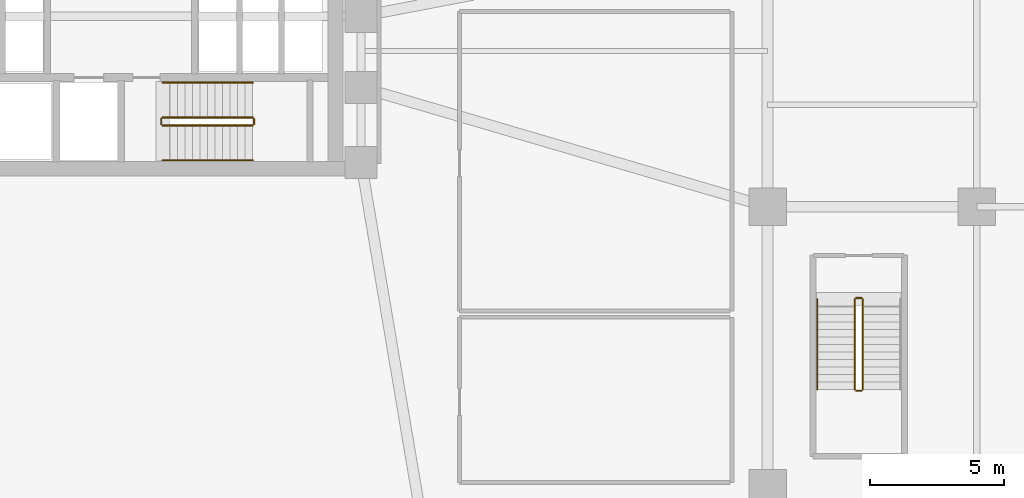
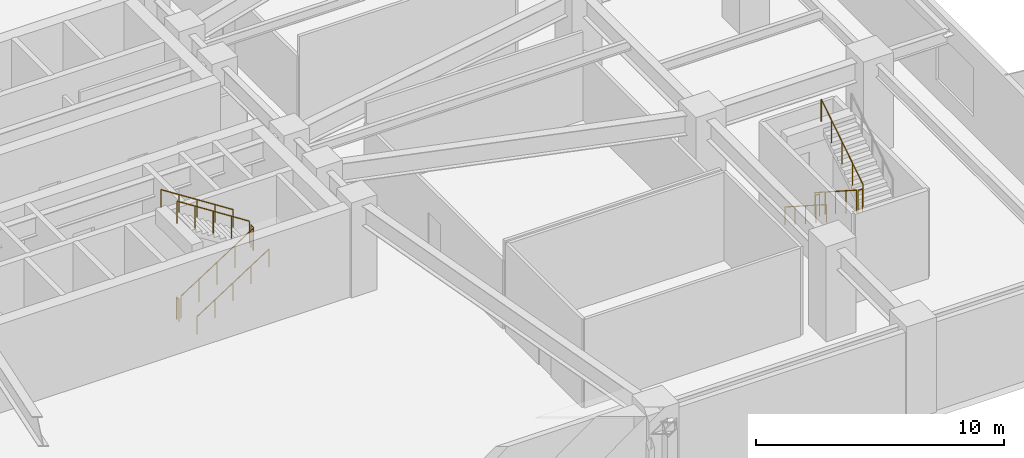
# One storey, part 18 of 21: 11 railings.
"""IFC4 building model written with IfcOpenShell, lengths in metres."""

from ifc_helpers import new_model, si_unit, direction, frame, origin, origin_2d, place, context, subcontext, project, spatial, circle, extrude, material, type_object, element, save


model = new_model("IFC4")

# Units and contexts
model_context = context("Model", 3, precision=1e-05, world=origin(), true_north=direction((0.0, 1.0)))
body_context = subcontext(model_context, "Body", "Model", "MODEL_VIEW")
ifc_project = project(units=[si_unit("LENGTHUNIT", "METRE"), si_unit("AREAUNIT", "SQUARE_METRE"), si_unit("VOLUMEUNIT", "CUBIC_METRE"), si_unit("PLANEANGLEUNIT", "RADIAN"), si_unit("MASSUNIT", "GRAM", prefix="KILO")], contexts=[model_context])

# Site, building, storey
site_placement = place(None, origin())
site = spatial("IfcSite", under=ifc_project, at=site_placement, CompositionType="ELEMENT")
building_placement = place(site_placement, origin())
building = spatial("IfcBuilding", under=site, at=building_placement, Name="Solmarez Civic Tower", CompositionType="ELEMENT")
storey_placement = place(building_placement, frame((0.0, 0.0, 10.080078125)))
storey = spatial("IfcBuildingStorey", under=building, at=storey_placement, Name="L02", CompositionType="ELEMENT", Elevation=10.080078125)

# Railings
ifc_material_1 = material(Name="Painted Steel Stairwell Safety Guard", Category="steel")
railing_type_1 = type_object("IfcRailingType", Name="GUARD-STAIR-1120", PredefinedType="BALUSTRADE", material=ifc_material_1)
railing_1_placement = place(storey_placement, frame((1.449951171875, -6.969970703125, 0.179931640625)))
element("IfcRailing", 1, at=railing_1_placement, inside=storey, type_object=railing_type_1, Name="L02 ST-2 stair guard 1", PredefinedType="BALUSTRADE", context=body_context, shape_type="SweptSolid", body=[
    extrude(circle(Radius=0.02392578125, at=origin_2d()), frame((0.0, 0.0, 1.09619140625), z_axis=(0.84119634759, 0.0, 0.540729789082), x_axis=(0.0, 1.0, 0.0)), (0.0, 0.0, 1.0), 3.994384765625),
    extrude(circle(Radius=0.02099609375, at=origin_2d()), origin(), (0.0, 0.0, 1.0), 1.072021484375),
    extrude(circle(Radius=0.02099609375, at=origin_2d()), frame((0.840087890625, 0.0, 0.5400390625)), (0.0, 0.0, 1.0), 1.072021484375),
    extrude(circle(Radius=0.02099609375, at=origin_2d()), frame((1.68017578125, 0.0, 1.080078125)), (0.0, 0.0, 1.0), 1.072021484375),
    extrude(circle(Radius=0.02099609375, at=origin_2d()), frame((2.52001953125, 0.0, 1.619873046875)), (0.0, 0.0, 1.0), 1.072021484375),
    extrude(circle(Radius=0.02099609375, at=origin_2d()), frame((3.360107421875, 0.0, 2.159912109375)), (0.0, 0.0, 1.0), 1.072021484375),
])
railing_2_placement = place(storey_placement, frame((4.860107421875, -6.919921875, 2.33984375)))
element("IfcRailing", 2, at=railing_2_placement, inside=storey, type_object=railing_type_1, Name="L02 ST-2 stair guard 2", PredefinedType="BALUSTRADE", context=body_context, shape_type="SweptSolid", body=[
    extrude(circle(Radius=0.02392578125, at=origin_2d()), frame((0.0, 0.0, 1.09619140625), z_axis=(0.0, 1.0, 0.0), x_axis=(-1.0, 0.0, 0.0)), (0.0, 0.0, 1.0), 0.199951171875),
    extrude(circle(Radius=0.02099609375, at=origin_2d()), origin(), (0.0, 0.0, 1.0), 1.072021484375),
    extrude(circle(Radius=0.02099609375, at=origin_2d()), frame((0.0, 0.199951171875, 0.0)), (0.0, 0.0, 1.0), 1.072021484375),
])
railing_3_placement = place(storey_placement, frame((4.81005859375, -6.669921875, 2.52001953125)))
element("IfcRailing", 3, at=railing_3_placement, inside=storey, type_object=railing_type_1, Name="L02 ST-2 stair guard 3", PredefinedType="BALUSTRADE", context=body_context, shape_type="SweptSolid", body=[
    extrude(circle(Radius=0.02392578125, at=origin_2d()), frame((0.0, 0.0, 1.09619140625), z_axis=(-0.84119634759, 0.0, 0.540729789082), x_axis=(0.0, -1.0, 0.0)), (0.0, 0.0, 1.0), 3.994384765625),
    extrude(circle(Radius=0.02099609375, at=origin_2d()), origin(), (0.0, 0.0, 1.0), 1.072021484375),
    extrude(circle(Radius=0.02099609375, at=origin_2d()), frame((-0.840087890625, 0.0, 0.5400390625)), (0.0, 0.0, 1.0), 1.072021484375),
    extrude(circle(Radius=0.02099609375, at=origin_2d()), frame((-1.68017578125, 0.0, 1.080078125)), (0.0, 0.0, 1.0), 1.072021484375),
    extrude(circle(Radius=0.02099609375, at=origin_2d()), frame((-2.52001953125, 0.0, 1.619873046875)), (0.0, 0.0, 1.0), 1.072021484375),
    extrude(circle(Radius=0.02099609375, at=origin_2d()), frame((-3.360107421875, 0.0, 2.159912109375)), (0.0, 0.0, 1.0), 1.072021484375),
])
railing_4_placement = place(storey_placement, frame((1.39990234375, -6.919921875, 0.0)))
element("IfcRailing", 4, at=railing_4_placement, inside=storey, type_object=railing_type_1, Name="L02 ST-2 stair guard 4", PredefinedType="BALUSTRADE", context=body_context, shape_type="SweptSolid", body=[
    extrude(circle(Radius=0.02392578125, at=origin_2d()), frame((0.0, 0.0, 1.09619140625), z_axis=(0.0, 1.0, 0.0), x_axis=(-1.0, 0.0, 0.0)), (0.0, 0.0, 1.0), 0.199951171875),
    extrude(circle(Radius=0.02099609375, at=origin_2d()), origin(), (0.0, 0.0, 1.0), 1.072021484375),
    extrude(circle(Radius=0.02099609375, at=origin_2d()), frame((0.0, 0.199951171875, 0.0)), (0.0, 0.0, 1.0), 1.072021484375),
])
railing_5_placement = place(storey_placement, frame((27.25, -13.449951171875, 0.179931640625)))
element("IfcRailing", 5, at=railing_5_placement, inside=storey, type_object=railing_type_1, Name="L02 ST-P2 stair guard 1", PredefinedType="BALUSTRADE", context=body_context, shape_type="SweptSolid", body=[
    extrude(circle(Radius=0.02392578125, at=origin_2d()), frame((0.0, 0.0, 1.09619140625), z_axis=(0.0, -0.84119634759, 0.540729789082), x_axis=(1.0, 0.0, 0.0)), (0.0, 0.0, 1.0), 3.994384765625),
    extrude(circle(Radius=0.02099609375, at=origin_2d()), origin(), (0.0, 0.0, 1.0), 1.072021484375),
    extrude(circle(Radius=0.02099609375, at=origin_2d()), frame((0.0, -0.840087890625, 0.5400390625)), (0.0, 0.0, 1.0), 1.072021484375),
    extrude(circle(Radius=0.02099609375, at=origin_2d()), frame((0.0, -1.68017578125, 1.080078125)), (0.0, 0.0, 1.0), 1.072021484375),
    extrude(circle(Radius=0.02099609375, at=origin_2d()), frame((0.0, -2.52001953125, 1.619873046875)), (0.0, 0.0, 1.0), 1.072021484375),
    extrude(circle(Radius=0.02099609375, at=origin_2d()), frame((0.0, -3.360107421875, 2.159912109375)), (0.0, 0.0, 1.0), 1.072021484375),
])
railing_6_placement = place(storey_placement, frame((27.300048828125, -16.860107421875, 2.33984375)))
element("IfcRailing", 6, at=railing_6_placement, inside=storey, type_object=railing_type_1, Name="L02 ST-P2 stair guard 2", PredefinedType="BALUSTRADE", context=body_context, shape_type="SweptSolid", body=[
    extrude(circle(Radius=0.02392578125, at=origin_2d()), frame((0.0, 0.0, 1.09619140625), z_axis=(1.0, 0.0, 0.0), x_axis=(0.0, 1.0, 0.0)), (0.0, 0.0, 1.0), 0.199951171875),
    extrude(circle(Radius=0.02099609375, at=origin_2d()), origin(), (0.0, 0.0, 1.0), 1.072021484375),
    extrude(circle(Radius=0.02099609375, at=origin_2d()), frame((0.199951171875, 0.0, 0.0)), (0.0, 0.0, 1.0), 1.072021484375),
])
railing_7_placement = place(storey_placement, frame((27.550048828125, -16.81005859375, 2.52001953125)))
element("IfcRailing", 7, at=railing_7_placement, inside=storey, type_object=railing_type_1, Name="L02 ST-P2 stair guard 3", PredefinedType="BALUSTRADE", context=body_context, shape_type="SweptSolid", body=[
    extrude(circle(Radius=0.02392578125, at=origin_2d()), frame((0.0, 0.0, 1.09619140625), z_axis=(0.0, 0.84119634759, 0.540729789082), x_axis=(-1.0, 0.0, 0.0)), (0.0, 0.0, 1.0), 3.994384765625),
    extrude(circle(Radius=0.02099609375, at=origin_2d()), origin(), (0.0, 0.0, 1.0), 1.072021484375),
    extrude(circle(Radius=0.02099609375, at=origin_2d()), frame((0.0, 0.840087890625, 0.5400390625)), (0.0, 0.0, 1.0), 1.072021484375),
    extrude(circle(Radius=0.02099609375, at=origin_2d()), frame((0.0, 1.68017578125, 1.080078125)), (0.0, 0.0, 1.0), 1.072021484375),
    extrude(circle(Radius=0.02099609375, at=origin_2d()), frame((0.0, 2.52001953125, 1.619873046875)), (0.0, 0.0, 1.0), 1.072021484375),
    extrude(circle(Radius=0.02099609375, at=origin_2d()), frame((0.0, 3.360107421875, 2.159912109375)), (0.0, 0.0, 1.0), 1.072021484375),
])
railing_8_placement = place(storey_placement, frame((27.300048828125, -13.39990234375, 0.0)))
element("IfcRailing", 8, at=railing_8_placement, inside=storey, type_object=railing_type_1, Name="L02 ST-P2 stair guard 4", PredefinedType="BALUSTRADE", context=body_context, shape_type="SweptSolid", body=[
    extrude(circle(Radius=0.02392578125, at=origin_2d()), frame((0.0, 0.0, 1.09619140625), z_axis=(1.0, 0.0, 0.0), x_axis=(0.0, 1.0, 0.0)), (0.0, 0.0, 1.0), 0.199951171875),
    extrude(circle(Radius=0.02099609375, at=origin_2d()), origin(), (0.0, 0.0, 1.0), 1.072021484375),
    extrude(circle(Radius=0.02099609375, at=origin_2d()), frame((0.199951171875, 0.0, 0.0)), (0.0, 0.0, 1.0), 1.072021484375),
])
ifc_material_2 = material(Name="Brushed Stainless Steel Tube Handrail", Category="steel")
railing_type_2 = type_object("IfcRailingType", Name="HANDRAIL-STAIR-900", PredefinedType="HANDRAIL", material=ifc_material_2)
railing_9_placement = place(storey_placement, frame((1.449951171875, -8.27001953125, 0.179931640625)))
element("IfcRailing", 9, at=railing_9_placement, inside=storey, type_object=railing_type_2, Name="L02 ST-2 stair handrail 1", PredefinedType="HANDRAIL", context=body_context, shape_type="SweptSolid", body=[
    extrude(circle(Radius=0.02392578125, at=origin_2d()), frame((0.0, 0.0, 0.8759765625), z_axis=(0.84119634759, 0.0, 0.540729789082), x_axis=(0.0, 1.0, 0.0)), (0.0, 0.0, 1.0), 3.994384765625),
    extrude(circle(Radius=0.02099609375, at=origin_2d()), origin(), (0.0, 0.0, 1.0), 0.851806640625),
    extrude(circle(Radius=0.02099609375, at=origin_2d()), frame((0.840087890625, 0.0, 0.5400390625)), (0.0, 0.0, 1.0), 0.851806640625),
    extrude(circle(Radius=0.02099609375, at=origin_2d()), frame((1.68017578125, 0.0, 1.080078125)), (0.0, 0.0, 1.0), 0.851806640625),
    extrude(circle(Radius=0.02099609375, at=origin_2d()), frame((2.52001953125, 0.0, 1.619873046875)), (0.0, 0.0, 1.0), 0.851806640625),
    extrude(circle(Radius=0.02099609375, at=origin_2d()), frame((3.360107421875, 0.0, 2.159912109375)), (0.0, 0.0, 1.0), 0.851806640625),
])
railing_10_placement = place(storey_placement, frame((4.81005859375, -5.3701171875, 2.52001953125)))
element("IfcRailing", 10, at=railing_10_placement, inside=storey, type_object=railing_type_2, Name="L02 ST-2 stair handrail 2", PredefinedType="HANDRAIL", context=body_context, shape_type="SweptSolid", body=[
    extrude(circle(Radius=0.02392578125, at=origin_2d()), frame((0.0, 0.0, 0.8759765625), z_axis=(-0.84119634759, 0.0, 0.540729789082), x_axis=(0.0, -1.0, 0.0)), (0.0, 0.0, 1.0), 3.994384765625),
    extrude(circle(Radius=0.02099609375, at=origin_2d()), origin(), (0.0, 0.0, 1.0), 0.851806640625),
    extrude(circle(Radius=0.02099609375, at=origin_2d()), frame((-0.840087890625, 0.0, 0.5400390625)), (0.0, 0.0, 1.0), 0.851806640625),
    extrude(circle(Radius=0.02099609375, at=origin_2d()), frame((-1.68017578125, 0.0, 1.080078125)), (0.0, 0.0, 1.0), 0.851806640625),
    extrude(circle(Radius=0.02099609375, at=origin_2d()), frame((-2.52001953125, 0.0, 1.619873046875)), (0.0, 0.0, 1.0), 0.851806640625),
    extrude(circle(Radius=0.02099609375, at=origin_2d()), frame((-3.360107421875, 0.0, 2.159912109375)), (0.0, 0.0, 1.0), 0.851806640625),
])
railing_11_placement = place(storey_placement, frame((25.85009765625, -13.449951171875, 0.179931640625)))
element("IfcRailing", 11, at=railing_11_placement, inside=storey, type_object=railing_type_2, Name="L02 ST-P2 stair handrail 1", PredefinedType="HANDRAIL", context=body_context, shape_type="SweptSolid", body=[
    extrude(circle(Radius=0.02392578125, at=origin_2d()), frame((0.0, 0.0, 0.8759765625), z_axis=(0.0, -0.84119634759, 0.540729789082), x_axis=(1.0, 0.0, 0.0)), (0.0, 0.0, 1.0), 3.994384765625),
    extrude(circle(Radius=0.02099609375, at=origin_2d()), origin(), (0.0, 0.0, 1.0), 0.851806640625),
    extrude(circle(Radius=0.02099609375, at=origin_2d()), frame((0.0, -0.840087890625, 0.5400390625)), (0.0, 0.0, 1.0), 0.851806640625),
    extrude(circle(Radius=0.02099609375, at=origin_2d()), frame((0.0, -1.68017578125, 1.080078125)), (0.0, 0.0, 1.0), 0.851806640625),
    extrude(circle(Radius=0.02099609375, at=origin_2d()), frame((0.0, -2.52001953125, 1.619873046875)), (0.0, 0.0, 1.0), 0.851806640625),
    extrude(circle(Radius=0.02099609375, at=origin_2d()), frame((0.0, -3.360107421875, 2.159912109375)), (0.0, 0.0, 1.0), 0.851806640625),
])

save(model, "model.ifc")
